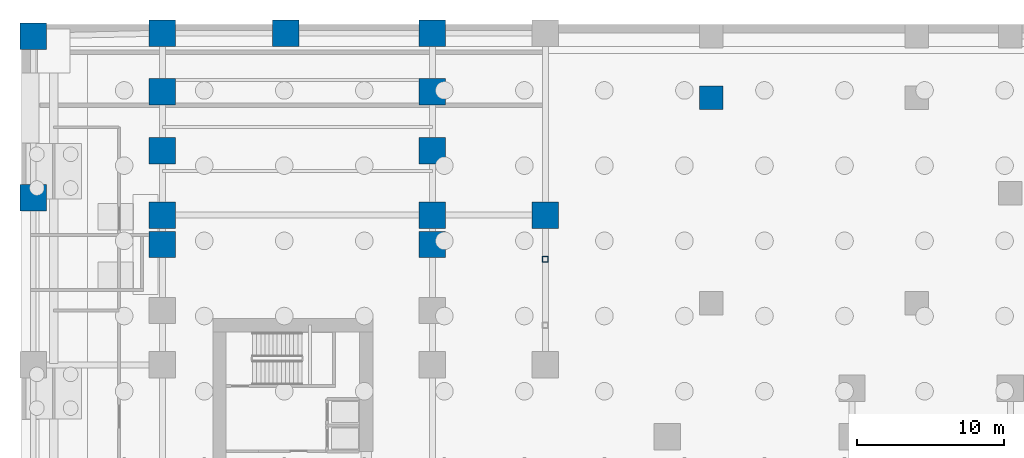
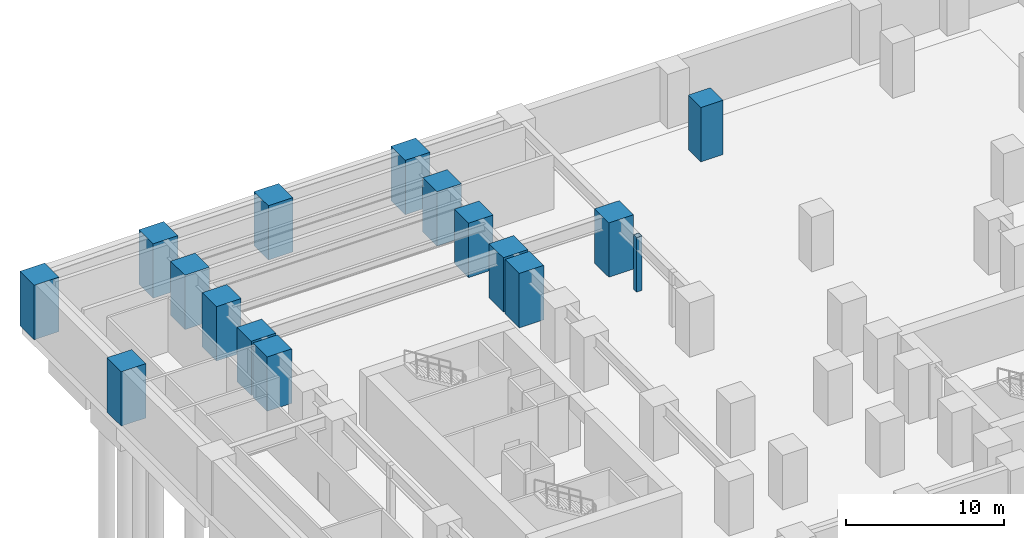
# One storey, part 5 of 15: 16 columns.
"""IFC4 building model written with IfcOpenShell, lengths in metres."""

from ifc_helpers import new_model, si_unit, direction, frame, origin, origin_2d, place, context, subcontext, project, spatial, rectangle, hollow_rectangle, extrude, source, transform, mapped, material, material_profile, profile_set, type_object, element, save


model = new_model("IFC4")

# Units and contexts
model_context = context("Model", 3, precision=1e-05, world=origin(), true_north=direction((0.0, 1.0)))
body_context = subcontext(model_context, "Body", "Model", "MODEL_VIEW")
ifc_project = project(units=[si_unit("LENGTHUNIT", "METRE"), si_unit("AREAUNIT", "SQUARE_METRE"), si_unit("VOLUMEUNIT", "CUBIC_METRE"), si_unit("PLANEANGLEUNIT", "RADIAN"), si_unit("MASSUNIT", "GRAM", prefix="KILO")], contexts=[model_context])

# Site, building, storey
site_placement = place(None, origin())
site = spatial("IfcSite", under=ifc_project, at=site_placement, CompositionType="ELEMENT")
building_placement = place(site_placement, origin())
building = spatial("IfcBuilding", under=site, at=building_placement, Name="Kharzan Plaza Tower", CompositionType="ELEMENT")
storey_placement = place(building_placement, frame((0.0, 0.0, -9.0)))
storey = spatial("IfcBuildingStorey", under=building, at=storey_placement, Name="B02", CompositionType="ELEMENT", Elevation=-9.0)

# Columns
ifc_material_1 = material(Name="Concrete C60/75", Category="concrete")
ifc_material_profile_1 = material_profile(ifc_material_1, rectangle(XDim=1.60009765625, YDim=1.60009765625, at=origin_2d()), Name="RC-MC1600x1600")
ifc_profile_set_1 = profile_set([ifc_material_profile_1], Name="Concrete C60/75")
column_type_1 = type_object("IfcColumnType", Name="COL-BC1600", PredefinedType="COLUMN", material=ifc_profile_set_1)
shared_shape_1 = source(origin(), body_context, "Body", "SweptSolid", [
    extrude(rectangle(XDim=1.60009765625, YDim=1.60009765625, at=origin_2d()), origin(), (0.0, 0.0, 1.0), 4.199951171875),
])
column_1_placement = place(storey_placement, frame((38.0, 45.0, 0.0), z_axis=(0.0, 0.0, 1.0), x_axis=(1.0, 0.0, 0.0)))
element("IfcColumn", 1, at=column_1_placement, inside=storey, type_object=column_type_1, Name="B02 Structural Column BC05", PredefinedType="COLUMN", context=body_context, shape_type="MappedRepresentation", body=[
    mapped(shared_shape_1, transform((0.0, 0.0, 0.0), x_axis=(1.0, 0.0, 0.0), y_axis=(0.0, 1.0, 0.0), z_axis=(0.0, 0.0, 1.0))),
])
ifc_material_profile_2 = material_profile(ifc_material_1, rectangle(XDim=1.800048828125, YDim=1.800048828125, at=origin_2d()), Name="RC-MC1800x1800")
ifc_profile_set_2 = profile_set([ifc_material_profile_2], Name="Concrete C60/75")
column_type_2 = type_object("IfcColumnType", Name="COL-MC1800", PredefinedType="COLUMN", material=ifc_profile_set_2)
shared_shape_2 = source(origin(), body_context, "Body", "SweptSolid", [
    extrude(rectangle(XDim=1.800048828125, YDim=1.800048828125, at=origin_2d()), origin(), (0.0, 0.0, 1.0), 4.199951171875),
])
for number, where, z_axis, x_axis, name in (
    (2, (-8.199951171875, 38.199951171875, 0.0), (0.0, 0.0, 1.0), (1.0, 0.0, 0.0), "B02 Podium Mega-Column MC02"),
    (3, (-8.199951171875, 49.199951171875, 0.0), (0.0, 0.0, 1.0), (1.0, 0.0, 0.0), "B02 Podium Mega-Column MC03"),
    (4, (0.60009765625, 35.0, 0.0), (0.0, 0.0, 1.0), (1.0, 0.0, 0.0), "B02 Podium Mega-Column MC08"),
    (5, (0.60009765625, 37.0, 0.0), (0.0, 0.0, 1.0), (1.0, 0.0, 0.0), "B02 Podium Mega-Column MC09"),
    (6, (0.60009765625, 41.39990234375, 0.0), (0.0, 0.0, 1.0), (1.0, 0.0, 0.0), "B02 Podium Mega-Column MC10"),
    (7, (0.60009765625, 45.39990234375, 0.0), (0.0, 0.0, 1.0), (1.0, 0.0, 0.0), "B02 Podium Mega-Column MC11"),
    (8, (0.60009765625, 49.39990234375, 0.0), (0.0, 0.0, 1.0), (1.0, 0.0, 0.0), "B02 Podium Mega-Column MC12"),
    (9, (9.0, 49.39990234375, 0.0), (0.0, 0.0, 1.0), (1.0, 0.0, 0.0), "B02 Podium Mega-Column MC20"),
    (10, (19.0, 49.39990234375, 0.0), (0.0, 0.0, 1.0), (1.0, 0.0, 0.0), "B02 Podium Mega-Column MC21"),
    (11, (26.699951171875, 37.0, 0.0), (0.0, 0.0, 1.0), (1.0, 0.0, 0.0), "B02 Podium Mega-Column MC24"),
    (12, (19.0, 35.0, 0.0), (0.0, 0.0, 1.0), (1.0, 0.0, 0.0), "B02 Podium Mega-Column MC41"),
    (13, (19.0, 37.0, 0.0), (0.0, 0.0, 1.0), (1.0, 0.0, 0.0), "B02 Podium Mega-Column MC42"),
    (14, (19.0, 41.39990234375, 0.0), (0.0, 0.0, 1.0), (1.0, 0.0, 0.0), "B02 Podium Mega-Column MC43"),
    (15, (19.0, 45.39990234375, 0.0), (0.0, 0.0, 1.0), (1.0, 0.0, 0.0), "B02 Podium Mega-Column MC44"),
):
    element("IfcColumn", number, at=place(storey_placement, frame(where, z_axis=z_axis, x_axis=x_axis)), inside=storey, type_object=column_type_2, Name=name, PredefinedType="COLUMN", context=body_context, shape_type="MappedRepresentation", body=[
        mapped(shared_shape_2, transform((0.0, 0.0, 0.0), x_axis=(1.0, 0.0, 0.0), y_axis=(0.0, 1.0, 0.0), z_axis=(0.0, 0.0, 1.0))),
    ])
ifc_material_2 = material(Name="Steel S355", Category="steel")
ifc_material_profile_3 = material_profile(ifc_material_2, hollow_rectangle(XDim=0.39990234375, YDim=0.39990234375, WallThickness=0.02001953125, at=origin_2d()), Name="SHS400x400x20")
ifc_profile_set_3 = profile_set([ifc_material_profile_3], Name="Steel S355")
column_type_3 = type_object("IfcColumnType", Name="COL-PIL400", PredefinedType="PILASTER", material=ifc_profile_set_3)
shared_shape_3 = source(origin(), body_context, "Body", "SweptSolid", [
    extrude(hollow_rectangle(XDim=0.39990234375, YDim=0.39990234375, WallThickness=0.02001953125, at=origin_2d()), origin(), (0.0, 0.0, 1.0), 4.199951171875),
])
column_2_placement = place(storey_placement, frame((26.699951171875, 34.0, 0.0), z_axis=(0.0, 0.0, 1.0), x_axis=(1.0, 0.0, 0.0)))
element("IfcColumn", 16, at=column_2_placement, inside=storey, type_object=column_type_3, Name="B02 Portal Steel Pilaster 2", PredefinedType="PILASTER", context=body_context, shape_type="MappedRepresentation", body=[
    mapped(shared_shape_3, transform((0.0, 0.0, 0.0), x_axis=(1.0, 0.0, 0.0), y_axis=(0.0, 1.0, 0.0), z_axis=(0.0, 0.0, 1.0))),
])

save(model, "model.ifc")
